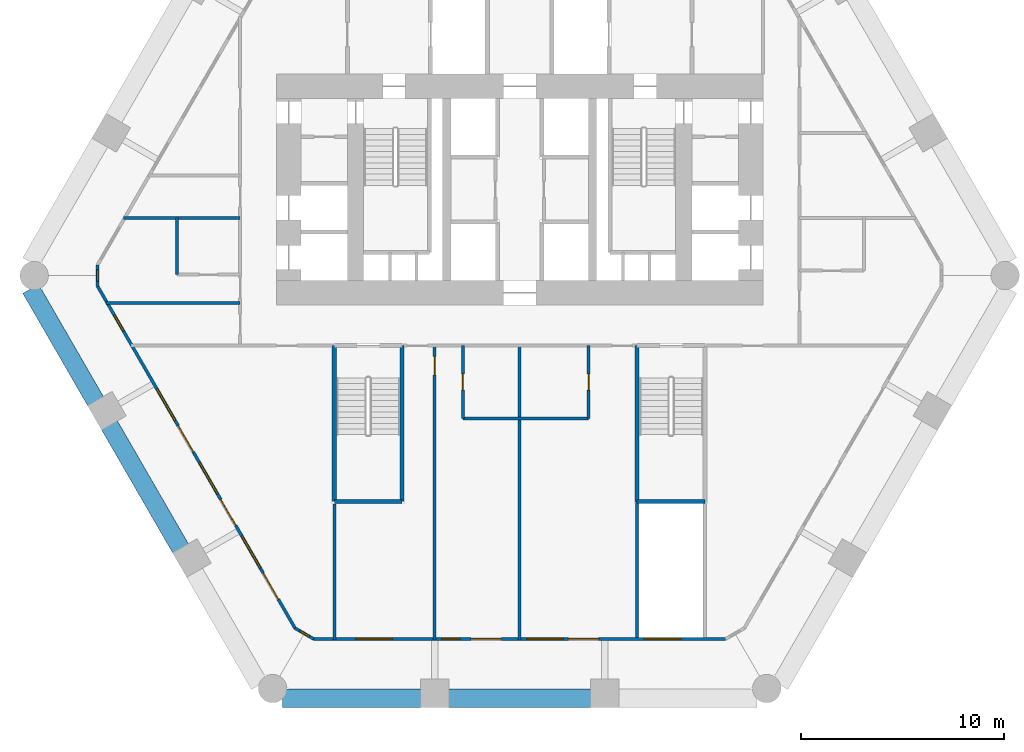
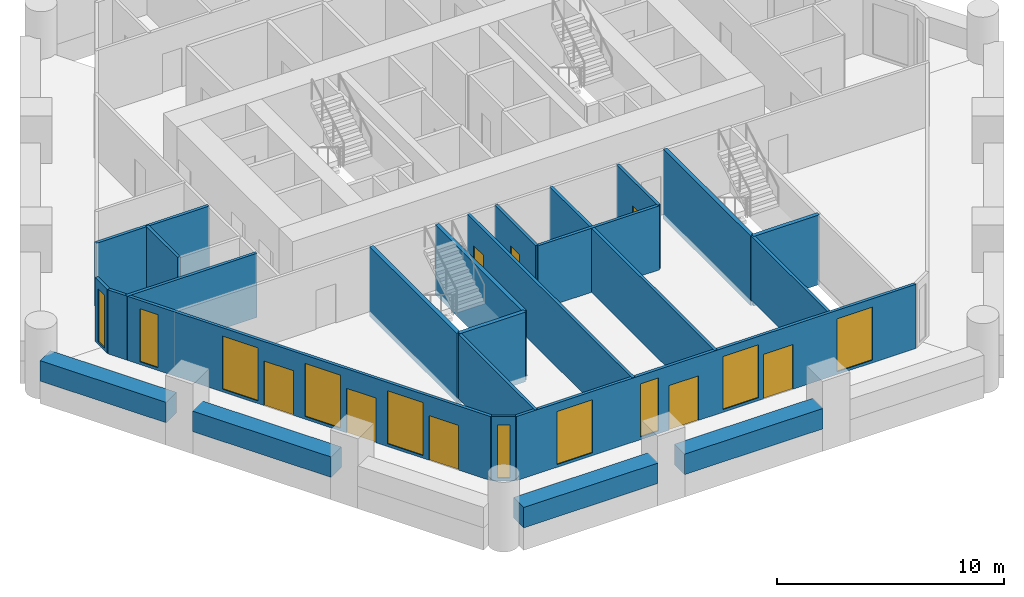
# One storey, part 2 of 8: 23 walls, 10 windows, 8 doors, 18 openings.
"""IFC4 building model written with IfcOpenShell, lengths in metres."""

from ifc_helpers import new_model, si_unit, direction, frame, frame_2d, origin, place, context, subcontext, project, spatial, rectangle, extrude, material, layer, layer_set, type_object, element, fill, save


model = new_model("IFC4")

# Units and contexts
model_context = context("Model", 3, precision=1e-05, world=origin(), true_north=direction((0.0, 1.0)))
body_context = subcontext(model_context, "Body", "Model", "MODEL_VIEW")
ifc_project = project(units=[si_unit("LENGTHUNIT", "METRE"), si_unit("AREAUNIT", "SQUARE_METRE"), si_unit("VOLUMEUNIT", "CUBIC_METRE"), si_unit("PLANEANGLEUNIT", "RADIAN"), si_unit("MASSUNIT", "GRAM", prefix="KILO")], contexts=[model_context])

# Site, building, storey
site_placement = place(None, origin())
site = spatial("IfcSite", under=ifc_project, at=site_placement, CompositionType="ELEMENT")
building_placement = place(site_placement, origin())
building = spatial("IfcBuilding", under=site, at=building_placement, Name="Ostrander Bayou Hotel Tower", CompositionType="ELEMENT")
storey_placement = place(building_placement, frame((0.0, 0.0, 39.25)))
storey = spatial("IfcBuildingStorey", under=building, at=storey_placement, Name="L09", CompositionType="ELEMENT", Elevation=39.25)

# Wall, openings, doors, windows
ifc_material_1 = material(Name="Aluminium framed insulated wall", Category="aluminium")
ifc_layer_1 = layer(ifc_material_1, 0.14990234375)
ifc_layer_set_1 = layer_set([ifc_layer_1], Name="GW1 glass-line wall 150 mm")
wall_type_1 = type_object("IfcWallType", Name="GW1 glass-line wall 150 mm", PredefinedType="SOLIDWALL", material=ifc_layer_set_1)
wall_1_placement = place(storey_placement, frame((-20.826171875, -0.778076171875, 0.0), z_axis=(0.0, 0.0, 1.0), x_axis=(0.499999841607, -0.866025495233, 0.0)))
wall_1 = element("IfcWall", 1, at=wall_1_placement, inside=storey, type_object=wall_type_1, Name="GW1 L09 SW 1", PredefinedType="SOLIDWALL", context=body_context, shape_type="SweptSolid", body=[
    extrude(rectangle(XDim=19.478515625, YDim=0.14990234375, at=frame_2d((9.7392578125, 0.0))), origin(), (0.0, 0.0, 1.0), 3.449951171875),
])
opening_1_placement = place(wall_1_placement, frame((1.639404296875, 0.0, 0.14990234375)))
opening_1 = element("IfcOpeningElement", 2, at=opening_1_placement, cuts=wall_1, Name="Opening W15", PredefinedType="OPENING", context=body_context, shape_type="SweptSolid", body=[
    extrude(rectangle(XDim=0.89990234375, YDim=2.85009765625, at=frame_2d((0.449951171875, 1.425048828125))), frame((0.0, 0.074951171875, 0.0), z_axis=(0.0, -1.0, 0.0), x_axis=(1.0, 0.0, 0.0)), (0.0, 0.0, 1.0), 0.14990234375),
])
opening_2_placement = place(wall_1_placement, frame((5.83935546875, 0.0, 0.14990234375)))
opening_2 = element("IfcOpeningElement", 3, at=opening_2_placement, cuts=wall_1, Name="Opening W1", PredefinedType="OPENING", context=body_context, shape_type="SweptSolid", body=[
    extrude(rectangle(XDim=1.800048828125, YDim=2.85009765625, at=frame_2d((0.89990234375, 1.425048828125))), frame((0.0, 0.074951171875, 0.0), z_axis=(0.0, -1.0, 0.0), x_axis=(1.0, 0.0, 0.0)), (0.0, 0.0, 1.0), 0.14990234375),
])
opening_3_placement = place(wall_1_placement, frame((7.939208984375, 0.0, 0.0)))
opening_3 = element("IfcOpeningElement", 4, at=opening_3_placement, cuts=wall_1, Name="Opening T09-800", PredefinedType="OPENING", context=body_context, shape_type="SweptSolid", body=[
    extrude(rectangle(XDim=1.5, YDim=2.39990234375, at=frame_2d((0.75, 1.199951171875))), frame((0.0, 0.074951171875, 0.0), z_axis=(0.0, -1.0, 0.0), x_axis=(1.0, 0.0, 0.0)), (0.0, 0.0, 1.0), 0.14990234375),
])
opening_4_placement = place(wall_1_placement, frame((10.039306640625, 0.0, 0.14990234375)))
opening_4 = element("IfcOpeningElement", 5, at=opening_4_placement, cuts=wall_1, Name="Opening W1", PredefinedType="OPENING", context=body_context, shape_type="SweptSolid", body=[
    extrude(rectangle(XDim=1.800048828125, YDim=2.85009765625, at=frame_2d((0.89990234375, 1.425048828125))), frame((0.0, 0.074951171875, 0.0), z_axis=(0.0, -1.0, 0.0), x_axis=(1.0, 0.0, 0.0)), (0.0, 0.0, 1.0), 0.14990234375),
])
opening_5_placement = place(wall_1_placement, frame((12.139404296875, 0.0, 0.0)))
opening_5 = element("IfcOpeningElement", 6, at=opening_5_placement, cuts=wall_1, Name="Opening T09-801", PredefinedType="OPENING", context=body_context, shape_type="SweptSolid", body=[
    extrude(rectangle(XDim=1.5, YDim=2.39990234375, at=frame_2d((0.75, 1.199951171875))), frame((0.0, 0.074951171875, 0.0), z_axis=(0.0, -1.0, 0.0), x_axis=(1.0, 0.0, 0.0)), (0.0, 0.0, 1.0), 0.14990234375),
])
opening_6_placement = place(wall_1_placement, frame((14.2392578125, 0.0, 0.14990234375)))
opening_6 = element("IfcOpeningElement", 7, at=opening_6_placement, cuts=wall_1, Name="Opening W1", PredefinedType="OPENING", context=body_context, shape_type="SweptSolid", body=[
    extrude(rectangle(XDim=1.800048828125, YDim=2.85009765625, at=frame_2d((0.89990234375, 1.425048828125))), frame((0.0, 0.074951171875, 0.0), z_axis=(0.0, -1.0, 0.0), x_axis=(1.0, 0.0, 0.0)), (0.0, 0.0, 1.0), 0.14990234375),
])
opening_7_placement = place(wall_1_placement, frame((16.33935546875, 0.0, 0.0)))
opening_7 = element("IfcOpeningElement", 8, at=opening_7_placement, cuts=wall_1, Name="Opening T09-802", PredefinedType="OPENING", context=body_context, shape_type="SweptSolid", body=[
    extrude(rectangle(XDim=1.5, YDim=2.39990234375, at=frame_2d((0.75, 1.199951171875))), frame((0.0, 0.074951171875, 0.0), z_axis=(0.0, -1.0, 0.0), x_axis=(1.0, 0.0, 0.0)), (0.0, 0.0, 1.0), 0.14990234375),
])
ifc_material_2 = material(Name="Aluminium and clear glass", Category="aluminium")
door_type_1 = type_object("IfcDoorType", Name="SD1 sliding glass door 1500 mm, zone 1", OperationType="SLIDING_TO_LEFT", PredefinedType="DOOR", material=ifc_material_2)
door_1_placement = place(opening_3_placement, origin())
door_1 = element("IfcDoor", 9, at=door_1_placement, inside=storey, type_object=door_type_1, Name="SD1 L09 SW 2", OperationType="SLIDING_TO_RIGHT", OverallHeight=2.39990234375, OverallWidth=1.5, PredefinedType="DOOR", context=body_context, shape_type="SweptSolid", body=[
    extrude(rectangle(XDim=1.5, YDim=2.39990234375, at=frame_2d((0.75, 1.199951171875))), frame((0.0, 0.02490234375, 0.0), z_axis=(0.0, -1.0, 0.0), x_axis=(1.0, 0.0, 0.0)), (0.0, 0.0, 1.0), 0.050048828125),
])
fill(opening_3, door_1)
door_2_placement = place(opening_5_placement, origin())
door_2 = element("IfcDoor", 10, at=door_2_placement, inside=storey, type_object=door_type_1, Name="SD1 L09 SW 3", OperationType="SLIDING_TO_LEFT", OverallHeight=2.39990234375, OverallWidth=1.5, PredefinedType="DOOR", context=body_context, shape_type="SweptSolid", body=[
    extrude(rectangle(XDim=1.5, YDim=2.39990234375, at=frame_2d((0.75, 1.199951171875))), frame((0.0, 0.02490234375, 0.0), z_axis=(0.0, -1.0, 0.0), x_axis=(1.0, 0.0, 0.0)), (0.0, 0.0, 1.0), 0.050048828125),
])
fill(opening_5, door_2)
door_3_placement = place(opening_7_placement, origin())
door_3 = element("IfcDoor", 11, at=door_3_placement, inside=storey, type_object=door_type_1, Name="SD1 L09 SW 4", OperationType="SLIDING_TO_RIGHT", OverallHeight=2.39990234375, OverallWidth=1.5, PredefinedType="DOOR", context=body_context, shape_type="SweptSolid", body=[
    extrude(rectangle(XDim=1.5, YDim=2.39990234375, at=frame_2d((0.75, 1.199951171875))), frame((0.0, 0.02490234375, 0.0), z_axis=(0.0, -1.0, 0.0), x_axis=(1.0, 0.0, 0.0)), (0.0, 0.0, 1.0), 0.050048828125),
])
fill(opening_7, door_3)
ifc_material_3 = material(Name="Aluminium and clear glass", Category="aluminium")
window_type_1 = type_object("IfcWindowType", Name="W1 fixed window 1800 mm, zone 1", PartitioningType="SINGLE_PANEL", PredefinedType="WINDOW", material=ifc_material_3)
window_1_placement = place(opening_2_placement, origin())
window_1 = element("IfcWindow", 12, at=window_1_placement, inside=storey, type_object=window_type_1, Name="W1 L09 SW 2", OverallHeight=2.85009765625, OverallWidth=1.800048828125, PartitioningType="SINGLE_PANEL", PredefinedType="WINDOW", context=body_context, shape_type="SweptSolid", body=[
    extrude(rectangle(XDim=1.800048828125, YDim=2.85009765625, at=frame_2d((0.89990234375, 1.425048828125))), frame((0.0, 0.030029296875, 0.0), z_axis=(0.0, -1.0, 0.0), x_axis=(1.0, 0.0, 0.0)), (0.0, 0.0, 1.0), 0.06005859375),
])
fill(opening_2, window_1)
window_2_placement = place(opening_4_placement, origin())
window_2 = element("IfcWindow", 13, at=window_2_placement, inside=storey, type_object=window_type_1, Name="W1 L09 SW 3", OverallHeight=2.85009765625, OverallWidth=1.800048828125, PartitioningType="SINGLE_PANEL", PredefinedType="WINDOW", context=body_context, shape_type="SweptSolid", body=[
    extrude(rectangle(XDim=1.800048828125, YDim=2.85009765625, at=frame_2d((0.89990234375, 1.425048828125))), frame((0.0, 0.030029296875, 0.0), z_axis=(0.0, -1.0, 0.0), x_axis=(1.0, 0.0, 0.0)), (0.0, 0.0, 1.0), 0.06005859375),
])
fill(opening_4, window_2)
window_3_placement = place(opening_6_placement, origin())
window_3 = element("IfcWindow", 14, at=window_3_placement, inside=storey, type_object=window_type_1, Name="W1 L09 SW 4", OverallHeight=2.85009765625, OverallWidth=1.800048828125, PartitioningType="SINGLE_PANEL", PredefinedType="WINDOW", context=body_context, shape_type="SweptSolid", body=[
    extrude(rectangle(XDim=1.800048828125, YDim=2.85009765625, at=frame_2d((0.89990234375, 1.425048828125))), frame((0.0, 0.030029296875, 0.0), z_axis=(0.0, -1.0, 0.0), x_axis=(1.0, 0.0, 0.0)), (0.0, 0.0, 1.0), 0.06005859375),
])
fill(opening_6, window_3)
ifc_material_4 = material(Name="Aluminium and clear glass", Category="aluminium")
window_type_2 = type_object("IfcWindowType", Name="W15 window 900 mm, zone 1", PartitioningType="SINGLE_PANEL", PredefinedType="WINDOW", material=ifc_material_4)
window_4_placement = place(opening_1_placement, origin())
window_4 = element("IfcWindow", 15, at=window_4_placement, inside=storey, type_object=window_type_2, Name="W15 L09 SW 1", OverallHeight=2.85009765625, OverallWidth=0.89990234375, PartitioningType="SINGLE_PANEL", PredefinedType="WINDOW", context=body_context, shape_type="SweptSolid", body=[
    extrude(rectangle(XDim=0.89990234375, YDim=2.85009765625, at=frame_2d((0.449951171875, 1.425048828125))), frame((0.0, 0.030029296875, 0.0), z_axis=(0.0, -1.0, 0.0), x_axis=(1.0, 0.0, 0.0)), (0.0, 0.0, 1.0), 0.06005859375),
])
fill(opening_1, window_4)

wall_2_placement = place(storey_placement, frame((-10.16455078125, -18.179443359375, 0.0), z_axis=(0.0, 0.0, 1.0), x_axis=(1.0, 0.0, 0.0)))
wall_2 = element("IfcWall", 16, at=wall_2_placement, inside=storey, type_object=wall_type_1, Name="GW1 L09 S 1", PredefinedType="SOLIDWALL", context=body_context, shape_type="SweptSolid", body=[
    extrude(rectangle(XDim=20.3291015625, YDim=0.14990234375, at=frame_2d((10.16455078125, 0.0))), origin(), (0.0, 0.0, 1.0), 3.449951171875),
])
opening_8_placement = place(wall_2_placement, frame((2.064453125, 0.0, 0.14990234375)))
opening_8 = element("IfcOpeningElement", 17, at=opening_8_placement, cuts=wall_2, Name="Opening W1", PredefinedType="OPENING", context=body_context, shape_type="SweptSolid", body=[
    extrude(rectangle(XDim=1.800048828125, YDim=2.85009765625, at=frame_2d((0.89990234375, 1.425048828125))), frame((0.0, 0.074951171875, 0.0), z_axis=(0.0, -1.0, 0.0), x_axis=(1.0, 0.0, 0.0)), (0.0, 0.0, 1.0), 0.14990234375),
])
opening_9_placement = place(wall_2_placement, frame((6.314453125, 0.0, 0.14990234375)))
opening_9 = element("IfcOpeningElement", 18, at=opening_9_placement, cuts=wall_2, Name="Opening W15", PredefinedType="OPENING", context=body_context, shape_type="SweptSolid", body=[
    extrude(rectangle(XDim=0.89990234375, YDim=2.85009765625, at=frame_2d((0.449951171875, 1.425048828125))), frame((0.0, 0.074951171875, 0.0), z_axis=(0.0, -1.0, 0.0), x_axis=(1.0, 0.0, 0.0)), (0.0, 0.0, 1.0), 0.14990234375),
])
opening_10_placement = place(wall_2_placement, frame((7.764404296875, 0.0, 0.0)))
opening_10 = element("IfcOpeningElement", 19, at=opening_10_placement, cuts=wall_2, Name="Opening T09-803", PredefinedType="OPENING", context=body_context, shape_type="SweptSolid", body=[
    extrude(rectangle(XDim=1.5, YDim=2.39990234375, at=frame_2d((0.75, 1.199951171875))), frame((0.0, 0.074951171875, 0.0), z_axis=(0.0, -1.0, 0.0), x_axis=(1.0, 0.0, 0.0)), (0.0, 0.0, 1.0), 0.14990234375),
])
opening_11_placement = place(wall_2_placement, frame((10.514404296875, 0.0, 0.14990234375)))
opening_11 = element("IfcOpeningElement", 20, at=opening_11_placement, cuts=wall_2, Name="Opening W1", PredefinedType="OPENING", context=body_context, shape_type="SweptSolid", body=[
    extrude(rectangle(XDim=1.800048828125, YDim=2.85009765625, at=frame_2d((0.89990234375, 1.425048828125))), frame((0.0, 0.074951171875, 0.0), z_axis=(0.0, -1.0, 0.0), x_axis=(1.0, 0.0, 0.0)), (0.0, 0.0, 1.0), 0.14990234375),
])
opening_12_placement = place(wall_2_placement, frame((12.564453125, 0.0, 0.0)))
opening_12 = element("IfcOpeningElement", 21, at=opening_12_placement, cuts=wall_2, Name="Opening T09-804", PredefinedType="OPENING", context=body_context, shape_type="SweptSolid", body=[
    extrude(rectangle(XDim=1.5, YDim=2.39990234375, at=frame_2d((0.75, 1.199951171875))), frame((0.0, 0.074951171875, 0.0), z_axis=(0.0, -1.0, 0.0), x_axis=(1.0, 0.0, 0.0)), (0.0, 0.0, 1.0), 0.14990234375),
])
opening_13_placement = place(wall_2_placement, frame((16.314453125, 0.0, 0.14990234375)))
opening_13 = element("IfcOpeningElement", 22, at=opening_13_placement, cuts=wall_2, Name="Opening W1", PredefinedType="OPENING", context=body_context, shape_type="SweptSolid", body=[
    extrude(rectangle(XDim=1.800048828125, YDim=2.85009765625, at=frame_2d((0.89990234375, 1.425048828125))), frame((0.0, 0.074951171875, 0.0), z_axis=(0.0, -1.0, 0.0), x_axis=(1.0, 0.0, 0.0)), (0.0, 0.0, 1.0), 0.14990234375),
])
door_4_placement = place(opening_10_placement, origin())
door_4 = element("IfcDoor", 23, at=door_4_placement, inside=storey, type_object=door_type_1, Name="SD1 L09 S 2", OperationType="SLIDING_TO_RIGHT", OverallHeight=2.39990234375, OverallWidth=1.5, PredefinedType="DOOR", context=body_context, shape_type="SweptSolid", body=[
    extrude(rectangle(XDim=1.5, YDim=2.39990234375, at=frame_2d((0.75, 1.199951171875))), frame((0.0, 0.02490234375, 0.0), z_axis=(0.0, -1.0, 0.0), x_axis=(1.0, 0.0, 0.0)), (0.0, 0.0, 1.0), 0.050048828125),
])
fill(opening_10, door_4)
door_5_placement = place(opening_12_placement, origin())
door_5 = element("IfcDoor", 24, at=door_5_placement, inside=storey, type_object=door_type_1, Name="SD1 L09 S 3", OperationType="SLIDING_TO_LEFT", OverallHeight=2.39990234375, OverallWidth=1.5, PredefinedType="DOOR", context=body_context, shape_type="SweptSolid", body=[
    extrude(rectangle(XDim=1.5, YDim=2.39990234375, at=frame_2d((0.75, 1.199951171875))), frame((0.0, 0.02490234375, 0.0), z_axis=(0.0, -1.0, 0.0), x_axis=(1.0, 0.0, 0.0)), (0.0, 0.0, 1.0), 0.050048828125),
])
fill(opening_12, door_5)
window_5_placement = place(opening_8_placement, origin())
window_5 = element("IfcWindow", 25, at=window_5_placement, inside=storey, type_object=window_type_1, Name="W1 L09 S 1", OverallHeight=2.85009765625, OverallWidth=1.800048828125, PartitioningType="SINGLE_PANEL", PredefinedType="WINDOW", context=body_context, shape_type="SweptSolid", body=[
    extrude(rectangle(XDim=1.800048828125, YDim=2.85009765625, at=frame_2d((0.89990234375, 1.425048828125))), frame((0.0, 0.030029296875, 0.0), z_axis=(0.0, -1.0, 0.0), x_axis=(1.0, 0.0, 0.0)), (0.0, 0.0, 1.0), 0.06005859375),
])
fill(opening_8, window_5)
window_6_placement = place(opening_11_placement, origin())
window_6 = element("IfcWindow", 26, at=window_6_placement, inside=storey, type_object=window_type_1, Name="W1 L09 S 3", OverallHeight=2.85009765625, OverallWidth=1.800048828125, PartitioningType="SINGLE_PANEL", PredefinedType="WINDOW", context=body_context, shape_type="SweptSolid", body=[
    extrude(rectangle(XDim=1.800048828125, YDim=2.85009765625, at=frame_2d((0.89990234375, 1.425048828125))), frame((0.0, 0.030029296875, 0.0), z_axis=(0.0, -1.0, 0.0), x_axis=(1.0, 0.0, 0.0)), (0.0, 0.0, 1.0), 0.06005859375),
])
fill(opening_11, window_6)
window_7_placement = place(opening_13_placement, origin())
window_7 = element("IfcWindow", 27, at=window_7_placement, inside=storey, type_object=window_type_1, Name="W1 L09 S 4", OverallHeight=2.85009765625, OverallWidth=1.800048828125, PartitioningType="SINGLE_PANEL", PredefinedType="WINDOW", context=body_context, shape_type="SweptSolid", body=[
    extrude(rectangle(XDim=1.800048828125, YDim=2.85009765625, at=frame_2d((0.89990234375, 1.425048828125))), frame((0.0, 0.030029296875, 0.0), z_axis=(0.0, -1.0, 0.0), x_axis=(1.0, 0.0, 0.0)), (0.0, 0.0, 1.0), 0.06005859375),
])
fill(opening_13, window_7)
window_8_placement = place(opening_9_placement, origin())
window_8 = element("IfcWindow", 28, at=window_8_placement, inside=storey, type_object=window_type_2, Name="W15 L09 S 2", OverallHeight=2.85009765625, OverallWidth=0.89990234375, PartitioningType="SINGLE_PANEL", PredefinedType="WINDOW", context=body_context, shape_type="SweptSolid", body=[
    extrude(rectangle(XDim=0.89990234375, YDim=2.85009765625, at=frame_2d((0.449951171875, 1.425048828125))), frame((0.0, 0.030029296875, 0.0), z_axis=(0.0, -1.0, 0.0), x_axis=(1.0, 0.0, 0.0)), (0.0, 0.0, 1.0), 0.06005859375),
])
fill(opening_9, window_8)

# Wall, opening, window
wall_3_placement = place(storey_placement, frame((-20.826171875, 0.287109375, 0.0), z_axis=(0.0, 0.0, 1.0), x_axis=(0.0, -1.0, 0.0)))
wall_3 = element("IfcWall", 29, at=wall_3_placement, inside=storey, type_object=wall_type_1, Name="GW1 L09 corner 2", PredefinedType="SOLIDWALL", context=body_context, shape_type="SweptSolid", body=[
    extrude(rectangle(XDim=1.065185546875, YDim=0.14990234375, at=frame_2d((0.53271484375, 0.0))), origin(), (0.0, 0.0, 1.0), 3.449951171875),
])
opening_14_placement = place(wall_3_placement, frame((0.257568359375, 0.0, 0.14990234375)))
opening_14 = element("IfcOpeningElement", 30, at=opening_14_placement, cuts=wall_3, Name="Opening W19", PredefinedType="OPENING", context=body_context, shape_type="SweptSolid", body=[
    extrude(rectangle(XDim=0.550048828125, YDim=2.85009765625, at=frame_2d((0.27490234375, 1.425048828125))), frame((0.0, 0.074951171875, 0.0), z_axis=(0.0, -1.0, 0.0), x_axis=(1.0, 0.0, 0.0)), (0.0, 0.0, 1.0), 0.14990234375),
])
ifc_material_5 = material(Name="Aluminium and clear glass", Category="aluminium")
window_type_3 = type_object("IfcWindowType", Name="W19 corner window 550 mm", PartitioningType="SINGLE_PANEL", PredefinedType="WINDOW", material=ifc_material_5)
window_9_placement = place(opening_14_placement, origin())
window_9 = element("IfcWindow", 31, at=window_9_placement, inside=storey, type_object=window_type_3, Name="W19 L09 corner 2", OverallHeight=2.85009765625, OverallWidth=0.550048828125, PartitioningType="SINGLE_PANEL", PredefinedType="WINDOW", context=body_context, shape_type="SweptSolid", body=[
    extrude(rectangle(XDim=0.550048828125, YDim=2.85009765625, at=frame_2d((0.27490234375, 1.425048828125))), frame((0.0, 0.030029296875, 0.0), z_axis=(0.0, -1.0, 0.0), x_axis=(1.0, 0.0, 0.0)), (0.0, 0.0, 1.0), 0.06005859375),
])
fill(opening_14, window_9)

wall_4_placement = place(storey_placement, frame((-11.0869140625, -17.64697265625, 0.0), z_axis=(0.0, 0.0, 1.0), x_axis=(0.866048165231, -0.499960573946, 0.0)))
wall_4 = element("IfcWall", 32, at=wall_4_placement, inside=storey, type_object=wall_type_1, Name="GW1 L09 corner 3", PredefinedType="SOLIDWALL", context=body_context, shape_type="SweptSolid", body=[
    extrude(rectangle(XDim=1.06494140625, YDim=0.14990234375, at=frame_2d((0.532470703125, 0.0))), origin(), (0.0, 0.0, 1.0), 3.449951171875),
])
opening_15_placement = place(wall_4_placement, frame((0.257568359375, 0.0, 0.14990234375)))
opening_15 = element("IfcOpeningElement", 33, at=opening_15_placement, cuts=wall_4, Name="Opening W19", PredefinedType="OPENING", context=body_context, shape_type="SweptSolid", body=[
    extrude(rectangle(XDim=0.550048828125, YDim=2.85009765625, at=frame_2d((0.27490234375, 1.425048828125))), frame((0.0, 0.074951171875, 0.0), z_axis=(0.0, -1.0, 0.0), x_axis=(1.0, 0.0, 0.0)), (0.0, 0.0, 1.0), 0.14990234375),
])
window_10_placement = place(opening_15_placement, origin())
window_10 = element("IfcWindow", 34, at=window_10_placement, inside=storey, type_object=window_type_3, Name="W19 L09 corner 3", OverallHeight=2.85009765625, OverallWidth=0.550048828125, PartitioningType="SINGLE_PANEL", PredefinedType="WINDOW", context=body_context, shape_type="SweptSolid", body=[
    extrude(rectangle(XDim=0.550048828125, YDim=2.85009765625, at=frame_2d((0.27490234375, 1.425048828125))), frame((0.0, 0.030029296875, 0.0), z_axis=(0.0, -1.0, 0.0), x_axis=(1.0, 0.0, 0.0)), (0.0, 0.0, 1.0), 0.06005859375),
])
fill(opening_15, window_10)

# Walls
ifc_material_6 = material(Name="Concrete f'c 40 MPa", Category="concrete")
ifc_layer_2 = layer(ifc_material_6, 0.89990234375)
ifc_layer_set_2 = layer_set([ifc_layer_2], Name="PA1 stone-faced parapet 900 mm")
wall_type_2 = type_object("IfcWallType", Name="PA1 stone-faced parapet 900 mm", PredefinedType="PARAPET", material=ifc_layer_set_2)
wall_5_placement = place(storey_placement, frame((-11.710693359375, -21.1044921875, 0.0), z_axis=(0.0, 0.0, 1.0), x_axis=(1.0, 0.0, 0.0)))
element("IfcWall", 35, at=wall_5_placement, inside=storey, type_object=wall_type_2, Name="PA1 L09 S-1", PredefinedType="PARAPET", context=body_context, shape_type="SweptSolid", body=[
    extrude(rectangle(XDim=6.84521484375, YDim=0.89990234375, at=frame_2d((3.422607421875, 0.0))), origin(), (0.0, 0.0, 1.0), 1.10009765625),
])
wall_6_placement = place(storey_placement, frame((-3.525390625, -21.1044921875, 0.0), z_axis=(0.0, 0.0, 1.0), x_axis=(1.0, 0.0, 0.0)))
element("IfcWall", 36, at=wall_6_placement, inside=storey, type_object=wall_type_2, Name="PA1 L09 S-2", PredefinedType="PARAPET", context=body_context, shape_type="SweptSolid", body=[
    extrude(rectangle(XDim=7.05078125, YDim=0.89990234375, at=frame_2d((3.525390625, 0.0))), origin(), (0.0, 0.0, 1.0), 1.10009765625),
])
ifc_material_7 = material(Name="Limestone masonry", Category="masonry")
ifc_layer_3 = layer(ifc_material_7, 0.89990234375)
ifc_layer_set_3 = layer_set([ifc_layer_3], Name="PA2 limestone parapet 900 mm")
wall_type_3 = type_object("IfcWallType", Name="PA2 limestone parapet 900 mm", PredefinedType="PARAPET", material=ifc_layer_set_3)
wall_7_placement = place(storey_placement, frame((-24.13232421875, -0.9013671875, 0.0), z_axis=(0.0, 0.0, 1.0), x_axis=(0.499983599745, -0.866034872269, 0.0)))
element("IfcWall", 37, at=wall_7_placement, inside=storey, type_object=wall_type_3, Name="PA2 L09 SW-1", PredefinedType="PARAPET", context=body_context, shape_type="SweptSolid", body=[
    extrude(rectangle(XDim=6.420166015625, YDim=0.89990234375, at=frame_2d((3.2099609375, 0.0))), origin(), (0.0, 0.0, 1.0), 1.10009765625),
])
wall_8_placement = place(storey_placement, frame((-20.252197265625, -7.621826171875, 0.0), z_axis=(0.0, 0.0, 1.0), x_axis=(0.499997206141, -0.866027016814, 0.0)))
element("IfcWall", 38, at=wall_8_placement, inside=storey, type_object=wall_type_3, Name="PA2 L09 SW-2", PredefinedType="PARAPET", context=body_context, shape_type="SweptSolid", body=[
    extrude(rectangle(XDim=7.05078125, YDim=0.89990234375, at=frame_2d((3.525390625, 0.0))), origin(), (0.0, 0.0, 1.0), 1.10009765625),
])
ifc_material_8 = material(Name="Gypsum board partition", Category="finish")
ifc_layer_4 = layer(ifc_material_8, 0.14990234375)
ifc_layer_set_4 = layer_set([ifc_layer_4], Name="PT7 riser wall 150 mm, 2 hour")
wall_type_4 = type_object("IfcWallType", Name="PT7 riser wall 150 mm, 2 hour", PredefinedType="PARTITIONING", material=ifc_layer_set_4)
wall_9_placement = place(storey_placement, frame((5.800048828125, -11.39990234375, 0.0), z_axis=(0.0, 0.0, 1.0), x_axis=(0.0, -1.0, 0.0)))
element("IfcWall", 39, at=wall_9_placement, inside=storey, type_object=wall_type_4, Name="cs:L09:021", PredefinedType="PARTITIONING", context=body_context, shape_type="SweptSolid", body=[
    extrude(rectangle(XDim=6.70458984375, YDim=0.14990234375, at=frame_2d((3.352294921875, 0.0))), origin(), (0.0, 0.0, 1.0), 3.449951171875),
])
ifc_material_9 = material(Name="Gypsum board partition", Category="finish")
ifc_layer_5 = layer(ifc_material_9, 0.14990234375)
ifc_layer_set_5 = layer_set([ifc_layer_5], Name="PT8 service band wall 150 mm, 1 hour")
wall_type_5 = type_object("IfcWallType", Name="PT8 service band wall 150 mm, 1 hour", PredefinedType="PARTITIONING", material=ifc_layer_set_5)
wall_10_placement = place(storey_placement, frame((-2.800048828125, -7.300048828125, 0.0), z_axis=(0.0, 0.0, 1.0), x_axis=(1.0, 0.0, 0.0)))
element("IfcWall", 40, at=wall_10_placement, inside=storey, type_object=wall_type_5, Name="gw:L09:001", PredefinedType="PARTITIONING", context=body_context, shape_type="SweptSolid", body=[
    extrude(rectangle(XDim=6.199951171875, YDim=0.14990234375, at=frame_2d((3.10009765625, 0.0))), origin(), (0.0, 0.0, 1.0), 3.449951171875),
])
wall_11_placement = place(storey_placement, frame((-20.404052734375, -1.60009765625, 0.0), z_axis=(0.0, 0.0, 1.0), x_axis=(1.0, 0.0, 0.0)))
element("IfcWall", 41, at=wall_11_placement, inside=storey, type_object=wall_type_5, Name="gw:L09:005", PredefinedType="PARTITIONING", context=body_context, shape_type="SweptSolid", body=[
    extrude(rectangle(XDim=6.60400390625, YDim=0.14990234375, at=frame_2d((3.302001953125, 0.0))), origin(), (0.0, 0.0, 1.0), 3.449951171875),
])
wall_12_placement = place(storey_placement, frame((-19.54296875, 2.60009765625, 0.0), z_axis=(0.0, 0.0, 1.0), x_axis=(1.0, 0.0, 0.0)))
element("IfcWall", 42, at=wall_12_placement, inside=storey, type_object=wall_type_5, Name="gw:L09:008", PredefinedType="PARTITIONING", context=body_context, shape_type="SweptSolid", body=[
    extrude(rectangle(XDim=5.742919921875, YDim=0.14990234375, at=frame_2d((2.87158203125, 0.0))), origin(), (0.0, 0.0, 1.0), 3.449951171875),
])

# Wall, opening, door
wall_13_placement = place(storey_placement, frame((3.39990234375, -7.300048828125, 0.0), z_axis=(0.0, 0.0, 1.0), x_axis=(0.0, 1.0, 0.0)))
wall_13 = element("IfcWall", 43, at=wall_13_placement, inside=storey, type_object=wall_type_5, Name="gw:L09:026", PredefinedType="PARTITIONING", context=body_context, shape_type="SweptSolid", body=[
    extrude(rectangle(XDim=3.60009765625, YDim=0.14990234375, at=frame_2d((1.800048828125, 0.0))), origin(), (0.0, 0.0, 1.0), 3.449951171875),
])
opening_16_placement = place(wall_13_placement, frame((1.39990234375, 0.0, 0.0)))
opening_16 = element("IfcOpeningElement", 44, at=opening_16_placement, cuts=wall_13, Name="Opening T09-405", PredefinedType="OPENING", context=body_context, shape_type="SweptSolid", body=[
    extrude(rectangle(XDim=0.800048828125, YDim=2.10009765625, at=frame_2d((0.39990234375, 1.050048828125))), frame((0.0, 0.074951171875, 0.0), z_axis=(0.0, -1.0, 0.0), x_axis=(1.0, 0.0, 0.0)), (0.0, 0.0, 1.0), 0.14990234375),
])
ifc_material_10 = material(Name="Timber door leaf", Category="wood")
door_type_2 = type_object("IfcDoorType", Name="D2 bathroom door 800 x 2100 mm", OperationType="SINGLE_SWING_LEFT", PredefinedType="DOOR", material=ifc_material_10)
door_6_placement = place(opening_16_placement, origin())
door_6 = element("IfcDoor", 45, at=door_6_placement, inside=storey, type_object=door_type_2, Name="dr:L09:405", OperationType="SINGLE_SWING_RIGHT", OverallHeight=2.10009765625, OverallWidth=0.800048828125, PredefinedType="DOOR", context=body_context, shape_type="SweptSolid", body=[
    extrude(rectangle(XDim=0.800048828125, YDim=2.10009765625, at=frame_2d((0.39990234375, 1.050048828125))), frame((0.0, 0.02490234375, 0.0), z_axis=(0.0, -1.0, 0.0), x_axis=(1.0, 0.0, 0.0)), (0.0, 0.0, 1.0), 0.050048828125),
])
fill(opening_16, door_6)

# Wall
wall_14_placement = place(storey_placement, frame((0.0, -18.22509765625, 0.0), z_axis=(0.0, 0.0, 1.0), x_axis=(0.0, 1.0, 0.0)))
element("IfcWall", 46, at=wall_14_placement, inside=storey, type_object=wall_type_5, Name="gw:L09:028", PredefinedType="PARTITIONING", context=body_context, shape_type="SweptSolid", body=[
    extrude(rectangle(XDim=14.525146484375, YDim=0.14990234375, at=frame_2d((7.2626953125, 0.0))), origin(), (0.0, 0.0, 1.0), 3.449951171875),
])

# Wall, opening, door
wall_15_placement = place(storey_placement, frame((-2.800048828125, -7.300048828125, 0.0), z_axis=(0.0, 0.0, 1.0), x_axis=(0.0, 1.0, 0.0)))
wall_15 = element("IfcWall", 47, at=wall_15_placement, inside=storey, type_object=wall_type_5, Name="gw:L09:030", PredefinedType="PARTITIONING", context=body_context, shape_type="SweptSolid", body=[
    extrude(rectangle(XDim=3.60009765625, YDim=0.14990234375, at=frame_2d((1.800048828125, 0.0))), origin(), (0.0, 0.0, 1.0), 3.449951171875),
])
opening_17_placement = place(wall_15_placement, frame((1.39990234375, 0.0, 0.0)))
opening_17 = element("IfcOpeningElement", 48, at=opening_17_placement, cuts=wall_15, Name="Opening T09-402", PredefinedType="OPENING", context=body_context, shape_type="SweptSolid", body=[
    extrude(rectangle(XDim=0.800048828125, YDim=2.10009765625, at=frame_2d((0.39990234375, 1.050048828125))), frame((0.0, 0.074951171875, 0.0), z_axis=(0.0, -1.0, 0.0), x_axis=(1.0, 0.0, 0.0)), (0.0, 0.0, 1.0), 0.14990234375),
])
door_7_placement = place(opening_17_placement, origin())
door_7 = element("IfcDoor", 49, at=door_7_placement, inside=storey, type_object=door_type_2, Name="dr:L09:402", OperationType="SINGLE_SWING_RIGHT", OverallHeight=2.10009765625, OverallWidth=0.800048828125, PredefinedType="DOOR", context=body_context, shape_type="SweptSolid", body=[
    extrude(rectangle(XDim=0.800048828125, YDim=2.10009765625, at=frame_2d((0.39990234375, 1.050048828125))), frame((0.0, 0.02490234375, 0.0), z_axis=(0.0, -1.0, 0.0), x_axis=(1.0, 0.0, 0.0)), (0.0, 0.0, 1.0), 0.050048828125),
])
fill(opening_17, door_7)

wall_16_placement = place(storey_placement, frame((-4.199951171875, -18.22509765625, 0.0), z_axis=(0.0, 0.0, 1.0), x_axis=(0.0, 1.0, 0.0)))
wall_16 = element("IfcWall", 50, at=wall_16_placement, inside=storey, type_object=wall_type_5, Name="gw:L09:032", PredefinedType="PARTITIONING", context=body_context, shape_type="SweptSolid", body=[
    extrude(rectangle(XDim=14.525146484375, YDim=0.14990234375, at=frame_2d((7.2626953125, 0.0))), origin(), (0.0, 0.0, 1.0), 3.449951171875),
])
opening_18_placement = place(wall_16_placement, frame((13.074951171875, 0.0, 0.0)))
opening_18 = element("IfcOpeningElement", 51, at=opening_18_placement, cuts=wall_16, Name="Opening T09-401", PredefinedType="OPENING", context=body_context, shape_type="SweptSolid", body=[
    extrude(rectangle(XDim=0.89990234375, YDim=2.10009765625, at=frame_2d((0.449951171875, 1.050048828125))), frame((0.0, 0.074951171875, 0.0), z_axis=(0.0, -1.0, 0.0), x_axis=(1.0, 0.0, 0.0)), (0.0, 0.0, 1.0), 0.14990234375),
])
ifc_material_11 = material(Name="Timber door leaf", Category="wood")
door_type_3 = type_object("IfcDoorType", Name="D8 room door 900 x 2100 mm", OperationType="SINGLE_SWING_LEFT", PredefinedType="DOOR", material=ifc_material_11)
door_8_placement = place(opening_18_placement, origin())
door_8 = element("IfcDoor", 52, at=door_8_placement, inside=storey, type_object=door_type_3, Name="dr:L09:401", OperationType="SINGLE_SWING_RIGHT", OverallHeight=2.10009765625, OverallWidth=0.89990234375, PredefinedType="DOOR", context=body_context, shape_type="SweptSolid", body=[
    extrude(rectangle(XDim=0.89990234375, YDim=2.10009765625, at=frame_2d((0.449951171875, 1.050048828125))), frame((0.0, 0.02490234375, 0.0), z_axis=(0.0, -1.0, 0.0), x_axis=(1.0, 0.0, 0.0)), (0.0, 0.0, 1.0), 0.050048828125),
])
fill(opening_18, door_8)

# Walls
wall_17_placement = place(storey_placement, frame((-9.14990234375, -18.22509765625, 0.0), z_axis=(0.0, 0.0, 1.0), x_axis=(0.0, 1.0, 0.0)))
element("IfcWall", 53, at=wall_17_placement, inside=storey, type_object=wall_type_5, Name="gw:L09:034", PredefinedType="PARTITIONING", context=body_context, shape_type="SweptSolid", body=[
    extrude(rectangle(XDim=6.715087890625, YDim=0.14990234375, at=frame_2d((3.357421875, 0.0))), origin(), (0.0, 0.0, 1.0), 3.449951171875),
])
wall_18_placement = place(storey_placement, frame((-16.9150390625, -0.199951171875, 0.0), z_axis=(0.0, 0.0, 1.0), x_axis=(0.0, 1.0, 0.0)))
element("IfcWall", 54, at=wall_18_placement, inside=storey, type_object=wall_type_5, Name="gw:L09:037", PredefinedType="PARTITIONING", context=body_context, shape_type="SweptSolid", body=[
    extrude(rectangle(XDim=2.800048828125, YDim=0.14990234375, at=frame_2d((1.39990234375, 0.0))), origin(), (0.0, 0.0, 1.0), 3.449951171875),
])
ifc_material_12 = material(Name="Concrete f'c 45 MPa", Category="concrete")
ifc_layer_6 = layer(ifc_material_12, 0.199951171875)
ifc_layer_set_6 = layer_set([ifc_layer_6], Name="SW5 stair enclosure wall 200 mm f'c 45 MPa")
wall_type_6 = type_object("IfcWallType", Name="SW5 stair enclosure wall 200 mm f'c 45 MPa", PredefinedType="SOLIDWALL", material=ifc_layer_set_6)
wall_19_placement = place(storey_placement, frame((5.800048828125, -3.699951171875, -0.300048828125), z_axis=(0.0, 0.0, 1.0), x_axis=(0.0, -1.0, 0.0)))
element("IfcWall", 55, at=wall_19_placement, inside=storey, type_object=wall_type_6, Name="cs:L09:018", PredefinedType="SOLIDWALL", context=body_context, shape_type="SweptSolid", body=[
    extrude(rectangle(XDim=7.699951171875, YDim=0.199951171875, at=frame_2d((3.85009765625, 0.0))), origin(), (0.0, 0.0, 1.0), 3.75),
])
wall_20_placement = place(storey_placement, frame((5.800048828125, -11.39990234375, -0.300048828125), z_axis=(0.0, 0.0, 1.0), x_axis=(1.0, 0.0, 0.0)))
element("IfcWall", 56, at=wall_20_placement, inside=storey, type_object=wall_type_6, Name="cs:L09:020", PredefinedType="SOLIDWALL", context=body_context, shape_type="SweptSolid", body=[
    extrude(rectangle(XDim=3.349853515625, YDim=0.199951171875, at=frame_2d((1.6748046875, 0.0))), origin(), (0.0, 0.0, 1.0), 3.75),
])
for number, where, z_axis, x_axis, name in (
    (57, (-9.14990234375, -3.699951171875, -0.300048828125), (0.0, 0.0, 1.0), (0.0, -1.0, 0.0), "cs:L09:024"),
    (58, (-5.800048828125, -3.699951171875, -0.300048828125), (0.0, 0.0, 1.0), (0.0, -1.0, 0.0), "cs:L09:025"),
):
    element("IfcWall", number, at=place(storey_placement, frame(where, z_axis=z_axis, x_axis=x_axis)), inside=storey, type_object=wall_type_6, Name=name, PredefinedType="SOLIDWALL", context=body_context, shape_type="SweptSolid", body=[
        extrude(rectangle(XDim=7.699951171875, YDim=0.199951171875, at=frame_2d((3.85009765625, 0.0))), origin(), (0.0, 0.0, 1.0), 3.75),
    ])
wall_21_placement = place(storey_placement, frame((-9.14990234375, -11.39990234375, -0.300048828125), z_axis=(0.0, 0.0, 1.0), x_axis=(1.0, 0.0, 0.0)))
element("IfcWall", 59, at=wall_21_placement, inside=storey, type_object=wall_type_6, Name="cs:L09:026", PredefinedType="SOLIDWALL", context=body_context, shape_type="SweptSolid", body=[
    extrude(rectangle(XDim=3.349853515625, YDim=0.199951171875, at=frame_2d((1.6748046875, 0.0))), origin(), (0.0, 0.0, 1.0), 3.75),
])

save(model, "model.ifc")
